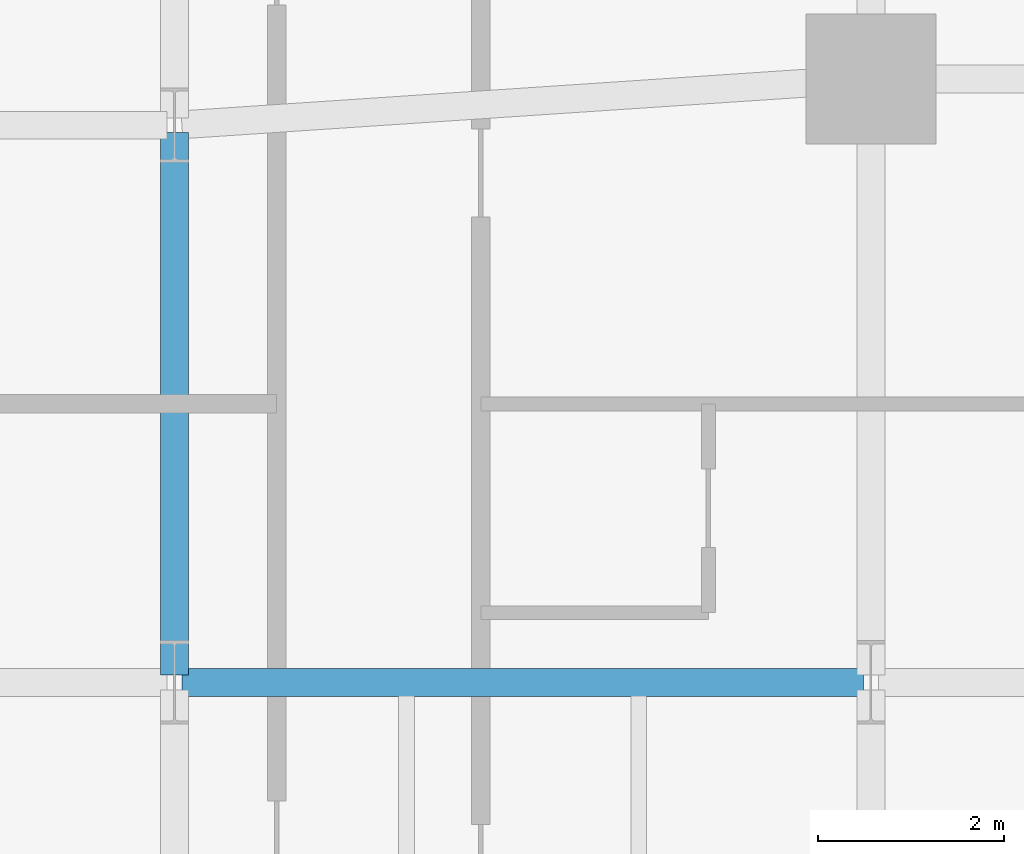
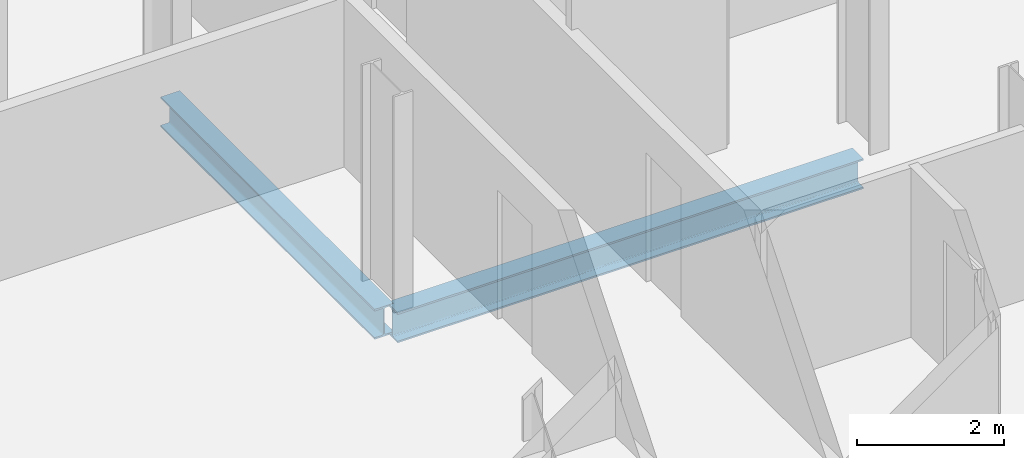
# One storey, part 10 of 33: 2 beams.
"""IFC4 building model written with IfcOpenShell, lengths in metres."""

from ifc_helpers import new_model, si_unit, direction, frame, origin, origin_2d, place, context, subcontext, project, spatial, i_section, extrude, material, material_profile, profile_set, type_object, element, save


model = new_model("IFC4")

# Units and contexts
model_context = context("Model", 3, precision=1e-05, world=origin(), true_north=direction((0.0, 1.0)))
body_context = subcontext(model_context, "Body", "Model", "MODEL_VIEW")
ifc_project = project(units=[si_unit("LENGTHUNIT", "METRE"), si_unit("AREAUNIT", "SQUARE_METRE"), si_unit("VOLUMEUNIT", "CUBIC_METRE"), si_unit("PLANEANGLEUNIT", "RADIAN"), si_unit("MASSUNIT", "GRAM", prefix="KILO")], contexts=[model_context])

# Site, building, storey
site_placement = place(None, origin())
site = spatial("IfcSite", under=ifc_project, at=site_placement, CompositionType="ELEMENT")
building_placement = place(site_placement, origin())
building = spatial("IfcBuilding", under=site, at=building_placement, Name="Catumbela Crestline Tower", CompositionType="ELEMENT")
storey_placement = place(building_placement, frame((0.0, 0.0, 58.2)))
storey = spatial("IfcBuildingStorey", under=building, at=storey_placement, Name="L14", CompositionType="ELEMENT", Elevation=58.2)

# Beams
ifc_material = material(Name="Structural steel S355J2", Category="steel")
ifc_material_profile = material_profile(ifc_material, i_section(OverallWidth=0.3, OverallDepth=0.5, WebThickness=0.0145, FlangeThickness=0.028, FilletRadius=0.027, at=origin_2d()), Name="HEB 500")
ifc_profile_set = profile_set([ifc_material_profile], Name="Structural steel S355J2")
beam_type = type_object("IfcBeamType", Name="BG-HEB500", PredefinedType="BEAM", material=ifc_profile_set)
beam_1_placement = place(storey_placement, frame((8.58, 18.0, -0.51), z_axis=(1.0, 0.0, 0.0), x_axis=(0.0, 1.0, 0.0)))
element("IfcBeam", 1, at=beam_1_placement, inside=storey, type_object=beam_type, Name="L14 Beam BM-L14-WEW55", PredefinedType="BEAM", context=body_context, shape_type="SweptSolid", body=[
    extrude(i_section(OverallWidth=0.3, OverallDepth=0.5, WebThickness=0.0145, FlangeThickness=0.028, FilletRadius=0.027, at=origin_2d()), origin(), (0.0, 0.0, 1.0), 7.34),
])
beam_2_placement = place(storey_placement, frame((8.5, 18.08, -0.51), z_axis=(0.0, 1.0, 0.0), x_axis=(-1.0, 0.0, 0.0)))
element("IfcBeam", 2, at=beam_2_placement, inside=storey, type_object=beam_type, Name="L14 Beam BM-L14-WNS63", PredefinedType="BEAM", context=body_context, shape_type="SweptSolid", body=[
    extrude(i_section(OverallWidth=0.3, OverallDepth=0.5, WebThickness=0.0145, FlangeThickness=0.028, FilletRadius=0.027, at=origin_2d()), origin(), (0.0, 0.0, 1.0), 5.84),
])

save(model, "model.ifc")
